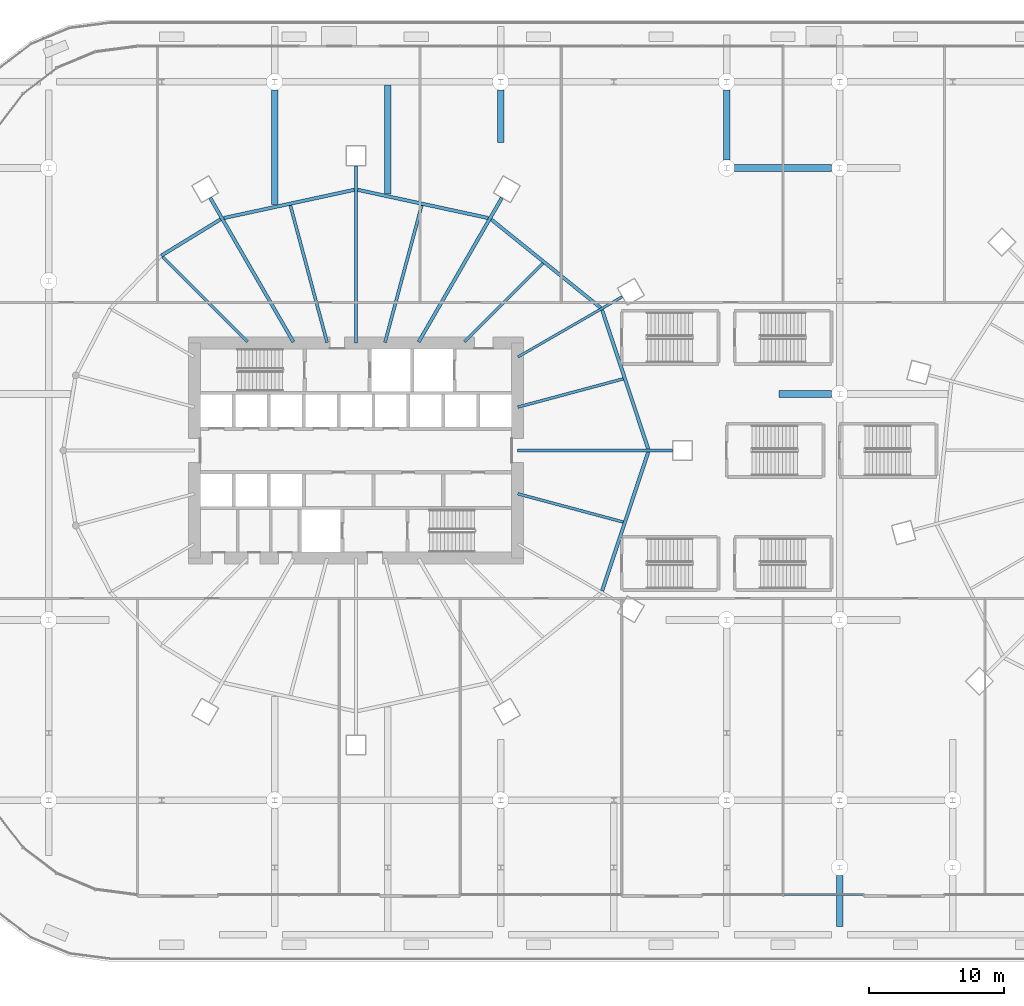
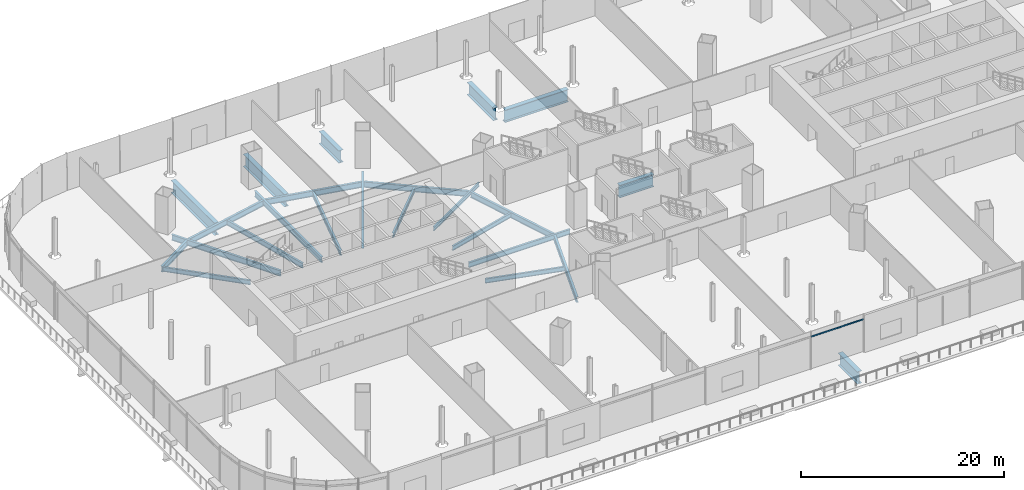
# One storey, part 19 of 56: 24 beams, 1 member, 1 element without a shape of its own.
"""IFC4 building model written with IfcOpenShell, lengths in metres."""

from ifc_helpers import new_model, si_unit, direction, frame, origin, origin_2d, place, context, subcontext, project, spatial, rectangle, i_section, extrude, material, material_profile, profile_set, type_object, element, aggregate, save


model = new_model("IFC4")

# Units and contexts
model_context = context("Model", 3, precision=1e-05, world=origin(), true_north=direction((0.0, 1.0)))
body_context = subcontext(model_context, "Body", "Model", "MODEL_VIEW")
ifc_project = project(units=[si_unit("LENGTHUNIT", "METRE"), si_unit("AREAUNIT", "SQUARE_METRE"), si_unit("VOLUMEUNIT", "CUBIC_METRE"), si_unit("PLANEANGLEUNIT", "RADIAN"), si_unit("MASSUNIT", "GRAM", prefix="KILO")], contexts=[model_context])

# Site, building, storey
site_placement = place(None, origin())
site = spatial("IfcSite", under=ifc_project, at=site_placement, CompositionType="ELEMENT")
building_placement = place(site_placement, origin())
building = spatial("IfcBuilding", under=site, at=building_placement, Name="Rimbun Link Towers", CompositionType="ELEMENT")
storey_placement = place(building_placement, frame((0.0, 0.0, 16.5)))
storey = spatial("IfcBuildingStorey", under=building, at=storey_placement, Name="L03", CompositionType="ELEMENT", Elevation=16.5)

# Curtain wall, member
ifc_material_1 = material(Name="Aluminium 6063-T6 and low-iron glass", Category="aluminium")
curtain_wall_type = type_object("IfcCurtainWallType", Name="CW3 podium shopfront", PredefinedType="NOTDEFINED", material=ifc_material_1)
curtain_wall_placement = place(storey_placement, origin())
curtain_wall = element("IfcCurtainWall", 1, at=curtain_wall_placement, inside=storey, type_object=curtain_wall_type, Name="CW3 L03 PD", PredefinedType="NOTDEFINED")
ifc_material_2 = material(Name="Aluminium 6063-T6", Category="aluminium")
ifc_material_profile_1 = material_profile(ifc_material_2, rectangle(XDim=0.06005859375, YDim=0.1201171875, at=origin_2d()), Name="TRANSOM 60X120")
ifc_profile_set_1 = profile_set([ifc_material_profile_1], Name="Aluminium 6063-T6")
member_type = type_object("IfcMemberType", Name="CW3 transom 60X120", PredefinedType="USERDEFINED", material=ifc_profile_set_1)
member_placement = place(storey_placement, frame((5.969970703125, -33.053955078125, 3.89990234375), z_axis=(-1.0, 0.0, 0.0), x_axis=(0.0, -1.0, 0.0)))
member = element("IfcMember", 2, at=member_placement, type_object=member_type, Name="CW3 transom", ObjectType="TRANSOM", PredefinedType="USERDEFINED", context=body_context, shape_type="SweptSolid", body=[
    extrude(rectangle(XDim=0.06005859375, YDim=0.1201171875, at=origin_2d()), origin(), (0.0, 0.0, 1.0), 5.93994140625),
])
aggregate(curtain_wall, [member])

# Beams
ifc_material_3 = material(Name="Steel S355J2", Category="steel")
ifc_material_profile_2 = material_profile(ifc_material_3, i_section(OverallWidth=0.5, OverallDepth=1.5, WebThickness=0.030029296875, FlangeThickness=0.050048828125, at=origin_2d()), Name="PG 1500x500x30/50")
ifc_profile_set_2 = profile_set([ifc_material_profile_2], Name="Steel S355J2")
beam_type_1 = type_object("IfcBeamType", Name="PG 1500x500x30/50", PredefinedType="BEAM", material=ifc_profile_set_2)
beam_1_placement = place(storey_placement, frame((-0.300048828125, 4.199951171875, -1.050048828125), z_axis=(1.0, 0.0, 0.0), x_axis=(0.0, 1.0, 0.0)))
element("IfcBeam", 3, at=beam_1_placement, inside=storey, type_object=beam_type_1, Name="Grid beam L03 +4.2", PredefinedType="BEAM", context=body_context, shape_type="SweptSolid", body=[
    extrude(i_section(OverallWidth=0.5, OverallDepth=1.5, WebThickness=0.030029296875, FlangeThickness=0.050048828125, at=origin_2d()), origin(), (0.0, 0.0, 1.0), 3.900146484375),
])
beam_2_placement = place(storey_placement, frame((-3.60009765625, 21.0, -1.050048828125), z_axis=(1.0, 0.0, 0.0), x_axis=(0.0, 1.0, 0.0)))
element("IfcBeam", 4, at=beam_2_placement, inside=storey, type_object=beam_type_1, Name="Grid beam L03 +21.0", PredefinedType="BEAM", context=body_context, shape_type="SweptSolid", body=[
    extrude(i_section(OverallWidth=0.5, OverallDepth=1.5, WebThickness=0.030029296875, FlangeThickness=0.050048828125, at=origin_2d()), origin(), (0.0, 0.0, 1.0), 7.2001953125),
])
beam_3_placement = place(storey_placement, frame((-37.800048828125, 18.27880859375, -1.050048828125), z_axis=(0.0, 1.0, 0.0), x_axis=(-1.0, 0.0, 0.0)))
element("IfcBeam", 5, at=beam_3_placement, inside=storey, type_object=beam_type_1, Name="Grid beam L03 -37.8", PredefinedType="BEAM", context=body_context, shape_type="SweptSolid", body=[
    extrude(i_section(OverallWidth=0.5, OverallDepth=1.5, WebThickness=0.030029296875, FlangeThickness=0.050048828125, at=origin_2d()), origin(), (0.0, 0.0, 1.0), 8.521240234375),
])
beam_4_placement = place(storey_placement, frame((-29.39990234375, 19.079345703125, -1.050048828125), z_axis=(0.0, 1.0, 0.0), x_axis=(-1.0, 0.0, 0.0)))
element("IfcBeam", 6, at=beam_4_placement, inside=storey, type_object=beam_type_1, Name="Grid beam L03 -29.4", PredefinedType="BEAM", context=body_context, shape_type="SweptSolid", body=[
    extrude(i_section(OverallWidth=0.5, OverallDepth=1.5, WebThickness=0.030029296875, FlangeThickness=0.050048828125, at=origin_2d()), origin(), (0.0, 0.0, 1.0), 8.070556640625),
])
beam_5_placement = place(storey_placement, frame((-21.0, 22.89990234375, -1.050048828125), z_axis=(0.0, 1.0, 0.0), x_axis=(-1.0, 0.0, 0.0)))
element("IfcBeam", 7, at=beam_5_placement, inside=storey, type_object=beam_type_1, Name="Grid beam L03 -21.0", PredefinedType="BEAM", context=body_context, shape_type="SweptSolid", body=[
    extrude(i_section(OverallWidth=0.5, OverallDepth=1.5, WebThickness=0.030029296875, FlangeThickness=0.050048828125, at=origin_2d()), origin(), (0.0, 0.0, 1.0), 3.900146484375),
])
beam_6_placement = place(storey_placement, frame((-4.199951171875, 21.60009765625, -1.050048828125), z_axis=(0.0, 1.0, 0.0), x_axis=(-1.0, 0.0, 0.0)))
element("IfcBeam", 8, at=beam_6_placement, inside=storey, type_object=beam_type_1, Name="Grid beam L03 -4.2", PredefinedType="BEAM", context=body_context, shape_type="SweptSolid", body=[
    extrude(i_section(OverallWidth=0.5, OverallDepth=1.5, WebThickness=0.030029296875, FlangeThickness=0.050048828125, at=origin_2d()), origin(), (0.0, 0.0, 1.0), 5.199951171875),
])
beam_7_placement = place(storey_placement, frame((4.199951171875, -35.39990234375, -1.050048828125), z_axis=(0.0, 1.0, 0.0), x_axis=(-1.0, 0.0, 0.0)))
element("IfcBeam", 9, at=beam_7_placement, inside=storey, type_object=beam_type_1, Name="Grid beam L03 +4.2", PredefinedType="BEAM", context=body_context, shape_type="SweptSolid", body=[
    extrude(i_section(OverallWidth=0.5, OverallDepth=1.5, WebThickness=0.030029296875, FlangeThickness=0.050048828125, at=origin_2d()), origin(), (0.0, 0.0, 1.0), 3.7998046875),
])
ifc_material_4 = material(Name="Steel S355J2", Category="steel")
ifc_material_profile_3 = material_profile(ifc_material_4, i_section(OverallWidth=0.18994140625, OverallDepth=0.453369140625, WebThickness=0.008544921875, FlangeThickness=0.0126953125, at=origin_2d()), Name="UB 457x191x67")
ifc_profile_set_3 = profile_set([ifc_material_profile_3], Name="Steel S355J2")
beam_type_2 = type_object("IfcBeamType", Name="UB 457x191x67", PredefinedType="BEAM", material=ifc_profile_set_3)
beam_8_placement = place(storey_placement, frame((-19.70166015625, 6.9560546875, -0.526611328125), z_axis=(0.866022633403, 0.500004798411, 0.0), x_axis=(-0.500004798411, 0.866022633403, 0.0)))
element("IfcBeam", 10, at=beam_8_placement, inside=storey, type_object=beam_type_2, Name="Radial beam T1 L03 02", PredefinedType="BEAM", context=body_context, shape_type="SweptSolid", body=[
    extrude(i_section(OverallWidth=0.18994140625, OverallDepth=0.453369140625, WebThickness=0.008544921875, FlangeThickness=0.0126953125, at=origin_2d()), origin(), (0.0, 0.0, 1.0), 8.93212890625),
])
ifc_material_5 = material(Name="Steel S355J2", Category="steel")
ifc_material_profile_4 = material_profile(ifc_material_5, i_section(OverallWidth=0.209228515625, OverallDepth=0.533203125, WebThickness=0.010009765625, FlangeThickness=0.015625, at=origin_2d()), Name="UB 533x210x92")
ifc_profile_set_4 = profile_set([ifc_material_profile_4], Name="Steel S355J2")
beam_type_3 = type_object("IfcBeamType", Name="UB 533x210x92", PredefinedType="BEAM", material=ifc_profile_set_4)
beam_9_placement = place(storey_placement, frame((-19.721923828125, 3.222900390625, -0.566650390625), z_axis=(0.965927890386, 0.258811341663, 0.0), x_axis=(-0.258811341663, 0.965927890386, 0.0)))
element("IfcBeam", 11, at=beam_9_placement, inside=storey, type_object=beam_type_3, Name="Radial beam T1 L03 01", PredefinedType="BEAM", context=body_context, shape_type="SweptSolid", body=[
    extrude(i_section(OverallWidth=0.209228515625, OverallDepth=0.533203125, WebThickness=0.010009765625, FlangeThickness=0.015625, at=origin_2d()), origin(), (0.0, 0.0, 1.0), 8.10791015625),
])
beam_10_placement = place(storey_placement, frame((-23.67529296875, 8.07470703125, -0.566650390625), z_axis=(0.707106781187, 0.707106781187, 0.0), x_axis=(-0.707106781187, 0.707106781187, 0.0)))
element("IfcBeam", 12, at=beam_10_placement, inside=storey, type_object=beam_type_3, Name="Radial beam T1 L03 03", PredefinedType="BEAM", context=body_context, shape_type="SweptSolid", body=[
    extrude(i_section(OverallWidth=0.209228515625, OverallDepth=0.533203125, WebThickness=0.010009765625, FlangeThickness=0.015625, at=origin_2d()), origin(), (0.0, 0.0, 1.0), 8.239501953125),
])
beam_11_placement = place(storey_placement, frame((-39.82470703125, 8.07470703125, -0.566650390625), z_axis=(-0.707106781187, 0.707106781187, 0.0), x_axis=(-0.707106781187, -0.707106781187, 0.0)))
element("IfcBeam", 13, at=beam_11_placement, inside=storey, type_object=beam_type_3, Name="Radial beam T1 L03 09", PredefinedType="BEAM", context=body_context, shape_type="SweptSolid", body=[
    extrude(i_section(OverallWidth=0.209228515625, OverallDepth=0.533203125, WebThickness=0.010009765625, FlangeThickness=0.015625, at=origin_2d()), origin(), (0.0, 0.0, 1.0), 8.9287109375),
])
beam_12_placement = place(storey_placement, frame((-19.721923828125, -3.222900390625, -0.566650390625), z_axis=(0.965927890386, -0.258811341663, 0.0), x_axis=(0.258811341663, 0.965927890386, 0.0)))
element("IfcBeam", 14, at=beam_12_placement, inside=storey, type_object=beam_type_3, Name="Radial beam T1 L03 23", PredefinedType="BEAM", context=body_context, shape_type="SweptSolid", body=[
    extrude(i_section(OverallWidth=0.209228515625, OverallDepth=0.533203125, WebThickness=0.010009765625, FlangeThickness=0.015625, at=origin_2d()), origin(), (0.0, 0.0, 1.0), 8.10791015625),
])
ifc_material_6 = material(Name="Steel S355J2", Category="steel")
ifc_material_profile_5 = material_profile(ifc_material_6, i_section(OverallWidth=0.2275390625, OverallDepth=0.6025390625, WebThickness=0.010498046875, FlangeThickness=0.014892578125, at=origin_2d()), Name="UB 610x229x101")
ifc_profile_set_5 = profile_set([ifc_material_profile_5], Name="Steel S355J2")
beam_type_4 = type_object("IfcBeamType", Name="UB 610x229x101", PredefinedType="BEAM", material=ifc_profile_set_5)
beam_13_placement = place(storey_placement, frame((-19.7490234375, 0.0, -0.601318359375), z_axis=(1.0, 0.0, 0.0), x_axis=(0.0, 1.0, 0.0)))
element("IfcBeam", 15, at=beam_13_placement, inside=storey, type_object=beam_type_4, Name="Radial beam T1 L03 00", PredefinedType="BEAM", context=body_context, shape_type="SweptSolid", body=[
    extrude(i_section(OverallWidth=0.2275390625, OverallDepth=0.6025390625, WebThickness=0.010498046875, FlangeThickness=0.014892578125, at=origin_2d()), origin(), (0.0, 0.0, 1.0), 11.51171875),
])
for number, where, z_axis, x_axis, name in (
    (16, (-29.598388671875, 8.030517578125, -0.601318359375), (0.258844096103, 0.965919113545, 0.0), (-0.965919113545, 0.258844096103, 0.0), "Radial beam T1 L03 05"),
    (17, (-33.901611328125, 8.030517578125, -0.601318359375), (-0.258844096103, 0.965919113545, 0.0), (-0.965919113545, -0.258844096103, 0.0), "Radial beam T1 L03 07"),
):
    element("IfcBeam", number, at=place(storey_placement, frame(where, z_axis=z_axis, x_axis=x_axis)), inside=storey, type_object=beam_type_4, Name=name, PredefinedType="BEAM", context=body_context, shape_type="SweptSolid", body=[
        extrude(i_section(OverallWidth=0.2275390625, OverallDepth=0.6025390625, WebThickness=0.010498046875, FlangeThickness=0.014892578125, at=origin_2d()), origin(), (0.0, 0.0, 1.0), 10.544921875),
    ])
ifc_material_7 = material(Name="Steel S355J2", Category="steel")
ifc_material_profile_6 = material_profile(ifc_material_7, i_section(OverallWidth=0.253662109375, OverallDepth=0.68359375, WebThickness=0.012451171875, FlangeThickness=0.01904296875, at=origin_2d()), Name="UB 686x254x140")
ifc_profile_set_6 = profile_set([ifc_material_profile_6], Name="Steel S355J2")
beam_type_5 = type_object("IfcBeamType", Name="UB 686x254x140", PredefinedType="BEAM", material=ifc_profile_set_6)
beam_14_placement = place(storey_placement, frame((-27.093994140625, 8.064208984375, -0.641845703125), z_axis=(0.499992594562, 0.866029679274, 0.0), x_axis=(-0.866029679274, 0.499992594562, 0.0)))
element("IfcBeam", 18, at=beam_14_placement, inside=storey, type_object=beam_type_5, Name="Radial beam T1 L03 04", PredefinedType="BEAM", context=body_context, shape_type="SweptSolid", body=[
    extrude(i_section(OverallWidth=0.253662109375, OverallDepth=0.68359375, WebThickness=0.012451171875, FlangeThickness=0.01904296875, at=origin_2d()), origin(), (0.0, 0.0, 1.0), 12.360595703125),
])
beam_15_placement = place(storey_placement, frame((-31.75, 8.0009765625, -0.641845703125), z_axis=(0.0, 1.0, 0.0), x_axis=(-1.0, 0.0, 0.0)))
element("IfcBeam", 19, at=beam_15_placement, inside=storey, type_object=beam_type_5, Name="Radial beam T1 L03 06", PredefinedType="BEAM", context=body_context, shape_type="SweptSolid", body=[
    extrude(i_section(OverallWidth=0.253662109375, OverallDepth=0.68359375, WebThickness=0.012451171875, FlangeThickness=0.01904296875, at=origin_2d()), origin(), (0.0, 0.0, 1.0), 13.1533203125),
])
beam_16_placement = place(storey_placement, frame((-36.406005859375, 8.064208984375, -0.641845703125), z_axis=(-0.499992594562, 0.866029679274, 0.0), x_axis=(-0.866029679274, -0.499992594562, 0.0)))
element("IfcBeam", 20, at=beam_16_placement, inside=storey, type_object=beam_type_5, Name="Radial beam T1 L03 08", PredefinedType="BEAM", context=body_context, shape_type="SweptSolid", body=[
    extrude(i_section(OverallWidth=0.253662109375, OverallDepth=0.68359375, WebThickness=0.012451171875, FlangeThickness=0.01904296875, at=origin_2d()), origin(), (0.0, 0.0, 1.0), 12.360595703125),
])
beam_17_placement = place(storey_placement, frame((-10.02880859375, 0.11474609375, -0.641845703125), z_axis=(-0.314841882336, 0.949144135064, 0.0), x_axis=(-0.949144135064, -0.314841882336, 0.0)))
element("IfcBeam", 21, at=beam_17_placement, inside=storey, type_object=beam_type_5, Name="Edge beam T1 L03 00-02", PredefinedType="BEAM", context=body_context, shape_type="SweptSolid", body=[
    extrude(i_section(OverallWidth=0.253662109375, OverallDepth=0.68359375, WebThickness=0.012451171875, FlangeThickness=0.01904296875, at=origin_2d()), origin(), (0.0, 0.0, 1.0), 10.889404296875),
])
beam_18_placement = place(storey_placement, frame((-13.568115234375, 10.60791015625, -0.641845703125), z_axis=(-0.778006680284, 0.628256003102, 0.0), x_axis=(-0.628256003102, -0.778006680284, 0.0)))
element("IfcBeam", 22, at=beam_18_placement, inside=storey, type_object=beam_type_5, Name="Edge beam T1 L03 02-04", PredefinedType="BEAM", context=body_context, shape_type="SweptSolid", body=[
    extrude(i_section(OverallWidth=0.253662109375, OverallDepth=0.68359375, WebThickness=0.012451171875, FlangeThickness=0.01904296875, at=origin_2d()), origin(), (0.0, 0.0, 1.0), 10.4404296875),
])
for number, where, z_axis, x_axis, name in (
    (23, (-21.922607421875, 17.27685546875, -0.641845703125), (-0.977390124833, 0.211443949734, 0.0), (-0.211443949734, -0.977390124833, 0.0), "Edge beam T1 L03 04-06"),
    (24, (-31.877685546875, 19.375244140625, -0.641845703125), (-0.977390124833, -0.211443949734, 0.0), (0.211443949734, -0.977390124833, 0.0), "Edge beam T1 L03 06-08"),
):
    element("IfcBeam", number, at=place(storey_placement, frame(where, z_axis=z_axis, x_axis=x_axis)), inside=storey, type_object=beam_type_5, Name=name, PredefinedType="BEAM", context=body_context, shape_type="SweptSolid", body=[
        extrude(i_section(OverallWidth=0.253662109375, OverallDepth=0.68359375, WebThickness=0.012451171875, FlangeThickness=0.01904296875, at=origin_2d()), origin(), (0.0, 0.0, 1.0), 9.924072265625),
    ])
beam_19_placement = place(storey_placement, frame((-41.8203125, 17.179931640625, -0.641845703125), z_axis=(-0.852707458773, -0.522388734328, 0.0), x_axis=(0.522388734328, -0.852707458773, 0.0)))
element("IfcBeam", 25, at=beam_19_placement, inside=storey, type_object=beam_type_5, Name="Edge beam T1 L03 08", PredefinedType="BEAM", context=body_context, shape_type="SweptSolid", body=[
    extrude(i_section(OverallWidth=0.253662109375, OverallDepth=0.68359375, WebThickness=0.012451171875, FlangeThickness=0.01904296875, at=origin_2d()), origin(), (0.0, 0.0, 1.0), 5.153076171875),
])
beam_20_placement = place(storey_placement, frame((-13.457275390625, -10.450439453125, -0.641845703125), z_axis=(0.314841882336, 0.949144135064, 0.0), x_axis=(-0.949144135064, 0.314841882336, 0.0)))
element("IfcBeam", 26, at=beam_20_placement, inside=storey, type_object=beam_type_5, Name="Edge beam T1 L03 22-00", PredefinedType="BEAM", context=body_context, shape_type="SweptSolid", body=[
    extrude(i_section(OverallWidth=0.253662109375, OverallDepth=0.68359375, WebThickness=0.012451171875, FlangeThickness=0.01904296875, at=origin_2d()), origin(), (0.0, 0.0, 1.0), 10.889404296875),
])

save(model, "model.ifc")
